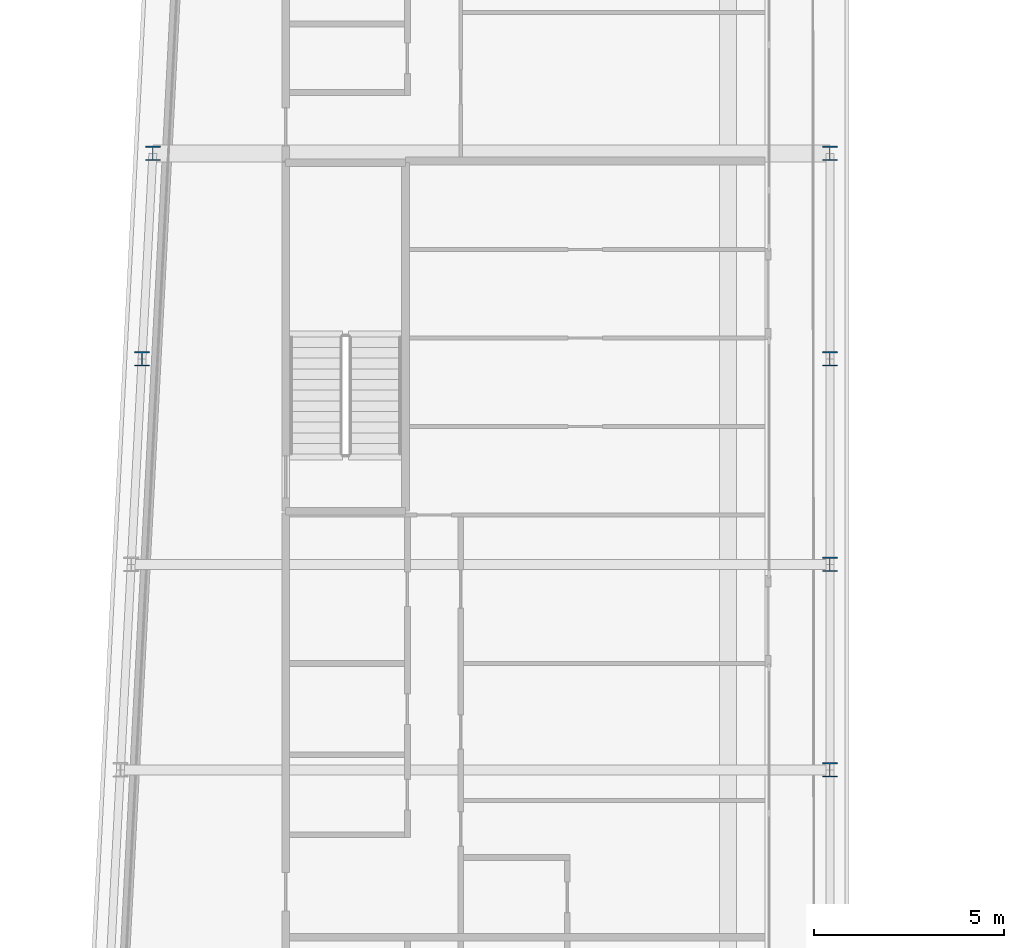
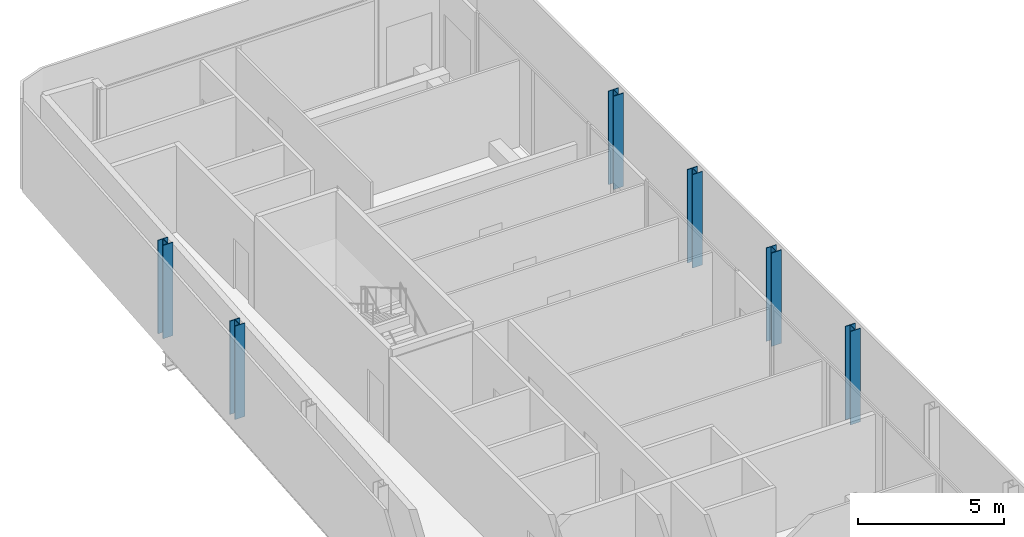
# One storey, part 4 of 21: 6 columns.
"""IFC4 building model written with IfcOpenShell, lengths in metres."""

from ifc_helpers import new_model, si_unit, direction, frame, origin, origin_2d, place, context, subcontext, project, spatial, i_section, extrude, material, material_profile, profile_set, type_object, element, save


model = new_model("IFC4")

# Units and contexts
model_context = context("Model", 3, precision=1e-05, world=origin(), true_north=direction((0.0, 1.0)))
body_context = subcontext(model_context, "Body", "Model", "MODEL_VIEW")
ifc_project = project(units=[si_unit("LENGTHUNIT", "METRE"), si_unit("AREAUNIT", "SQUARE_METRE"), si_unit("VOLUMEUNIT", "CUBIC_METRE"), si_unit("PLANEANGLEUNIT", "RADIAN"), si_unit("MASSUNIT", "GRAM", prefix="KILO")], contexts=[model_context])

# Site, building, storey
site_placement = place(None, origin())
site = spatial("IfcSite", under=ifc_project, at=site_placement, CompositionType="ELEMENT")
building_placement = place(site_placement, origin())
building = spatial("IfcBuilding", under=site, at=building_placement, Name="Kheshtan School and Residences Tower", CompositionType="ELEMENT")
storey_placement = place(building_placement, frame((0.0, 0.0, 282.5)))
storey = spatial("IfcBuildingStorey", under=building, at=storey_placement, Name="L66", CompositionType="ELEMENT", Elevation=282.5)

# Columns
ifc_material = material(Name="Steel ASTM A992 Grade 50", Category="steel")
ifc_material_profile = material_profile(ifc_material, i_section(OverallWidth=0.39501953125, OverallDepth=0.3798828125, WebThickness=0.018798828125, FlangeThickness=0.0302734375, FilletRadius=0.011474609375, at=origin_2d()), Name="W360x237")
ifc_profile_set = profile_set([ifc_material_profile], Name="Steel ASTM A992 Grade 50")
column_type = type_object("IfcColumnType", Name="Column C5 W360x237 ASTM A992 Grade 50", PredefinedType="COLUMN", material=ifc_profile_set)
for number, where, z_axis, x_axis, name in (
    (1, (47.60009765625, 72.60009765625, 0.0), (0.0, 0.0, 1.0), (1.0, 0.0, 0.0), "Column C087"),
    (2, (47.60009765625, 78.0, 0.0), (0.0, 0.0, 1.0), (1.0, 0.0, 0.0), "Column C089"),
    (3, (29.527099609375, 83.39990234375, 0.0), (0.0, 0.0, 1.0), (1.0, 0.0, 0.0), "Column C090"),
    (4, (47.60009765625, 83.39990234375, 0.0), (0.0, 0.0, 1.0), (1.0, 0.0, 0.0), "Column C091"),
    (5, (29.81103515625, 88.800048828125, 0.0), (0.0, 0.0, 1.0), (1.0, 0.0, 0.0), "Column C098"),
    (6, (47.60009765625, 88.800048828125, 0.0), (0.0, 0.0, 1.0), (1.0, 0.0, 0.0), "Column C099"),
):
    element("IfcColumn", number, at=place(storey_placement, frame(where, z_axis=z_axis, x_axis=x_axis)), inside=storey, type_object=column_type, Name=name, PredefinedType="COLUMN", context=body_context, shape_type="SweptSolid", body=[
        extrude(i_section(OverallWidth=0.39501953125, OverallDepth=0.3798828125, WebThickness=0.018798828125, FlangeThickness=0.0302734375, FilletRadius=0.011474609375, at=origin_2d()), origin(), (0.0, 0.0, 1.0), 3.89990234375),
    ])

save(model, "model.ifc")
